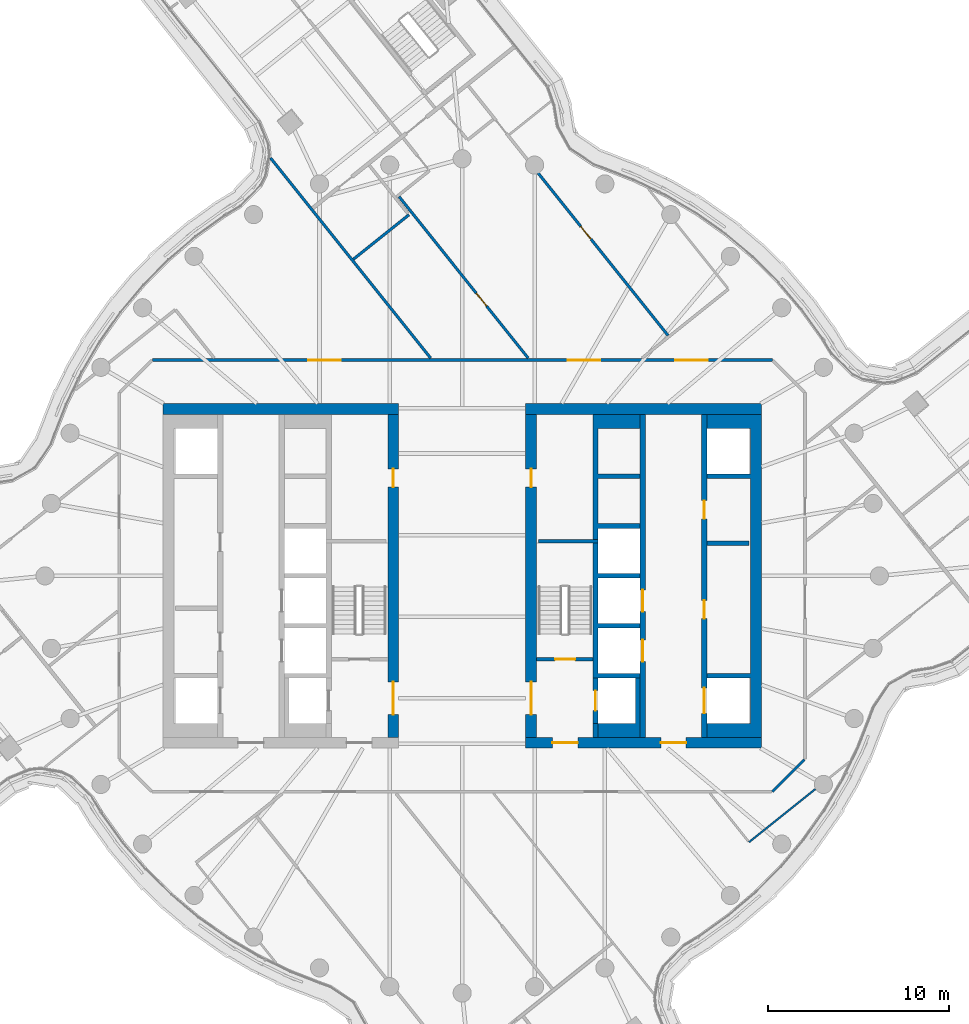
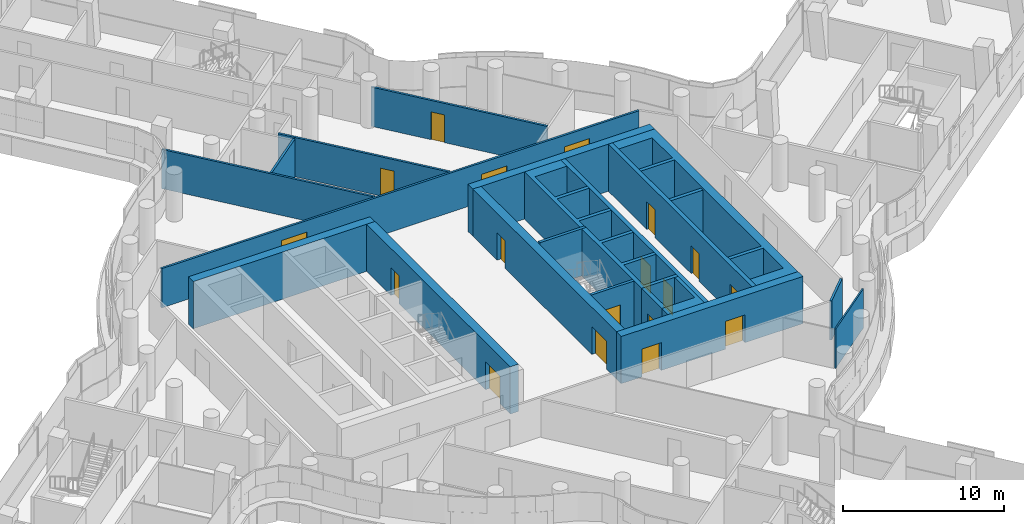
# One storey, part 21 of 31: 22 walls, 18 doors, 18 openings.
"""IFC4 building model written with IfcOpenShell, lengths in metres."""

from ifc_helpers import new_model, si_unit, direction, frame, frame_2d, origin, place, context, subcontext, project, spatial, polyline, rectangle, outline, extrude, material, layer, layer_set, type_object, element, fill, save


model = new_model("IFC4")

# Units and contexts
model_context = context("Model", 3, precision=1e-05, world=origin(), true_north=direction((0.0, 1.0)))
body_context = subcontext(model_context, "Body", "Model", "MODEL_VIEW")
ifc_project = project(units=[si_unit("LENGTHUNIT", "METRE"), si_unit("AREAUNIT", "SQUARE_METRE"), si_unit("VOLUMEUNIT", "CUBIC_METRE"), si_unit("PLANEANGLEUNIT", "RADIAN"), si_unit("MASSUNIT", "GRAM", prefix="KILO")], contexts=[model_context])

# Site, building, storey
site_placement = place(None, origin())
site = spatial("IfcSite", under=ifc_project, at=site_placement, CompositionType="ELEMENT")
building_placement = place(site_placement, origin())
building = spatial("IfcBuilding", under=site, at=building_placement, Name="Tamarind Cross Interchange Tower", CompositionType="ELEMENT")
storey_placement = place(building_placement, frame((0.0, 0.0, 174.25)))
storey = spatial("IfcBuildingStorey", under=building, at=storey_placement, Name="L43", CompositionType="ELEMENT", Elevation=174.25)

# Wall
ifc_material_1 = material(Name="Concrete C60", Category="concrete")
ifc_layer_1 = layer(ifc_material_1, 0.60009765625)
ifc_layer_set_1 = layer_set([ifc_layer_1], Name="Concrete C60")
wall_type_1 = type_object("IfcWallType", Name="Core wall 600 mm Concrete C60", PredefinedType="SHEAR", material=ifc_layer_set_1)
wall_1_placement = place(storey_placement, frame((-16.5, 9.199951171875, 0.0), z_axis=(0.0, 0.0, 1.0), x_axis=(1.0, 0.0, 0.0)))
element("IfcWall", 1, at=wall_1_placement, inside=storey, type_object=wall_type_1, Name="Core wall CWL-L43-W-NE", PredefinedType="SHEAR", context=body_context, shape_type="SweptSolid", body=[
    extrude(rectangle(XDim=13.0, YDim=0.60009765625, at=frame_2d((6.5, 0.0))), origin(), (0.0, 0.0, 1.0), 3.570068359375),
])

# Wall, openings, doors
wall_2_placement = place(storey_placement, frame((-3.800048828125, -8.89990234375, 0.0), z_axis=(0.0, 0.0, 1.0), x_axis=(0.0, 1.0, 0.0)))
wall_2 = element("IfcWall", 2, at=wall_2_placement, inside=storey, type_object=wall_type_1, Name="Core wall CWL-L43-W-IN", PredefinedType="SHEAR", context=body_context, shape_type="SweptSolid", body=[
    extrude(rectangle(XDim=17.7998046875, YDim=0.60009765625, at=frame_2d((8.89990234375, 0.0))), origin(), (0.0, 0.0, 1.0), 3.570068359375),
])
opening_1_placement = place(wall_2_placement, frame((1.25, 0.0, 0.0)))
opening_1 = element("IfcOpeningElement", 3, at=opening_1_placement, cuts=wall_2, Name="Opening DCW4", PredefinedType="OPENING", context=body_context, shape_type="SweptSolid", body=[
    extrude(rectangle(XDim=1.800048828125, YDim=2.10009765625, at=frame_2d((0.89990234375, 1.050048828125))), frame((0.0, 0.31005859375, 0.0), z_axis=(0.0, -1.0, 0.0), x_axis=(1.0, 0.0, 0.0)), (0.0, 0.0, 1.0), 0.6201171875),
])
opening_2_placement = place(wall_2_placement, frame((13.800048828125, 0.0, 0.0)))
opening_2 = element("IfcOpeningElement", 4, at=opening_2_placement, cuts=wall_2, Name="Opening DCW5", PredefinedType="OPENING", context=body_context, shape_type="SweptSolid", body=[
    extrude(rectangle(XDim=1.0, YDim=2.10009765625, at=frame_2d((0.5, 1.050048828125))), frame((0.0, 0.31005859375, 0.0), z_axis=(0.0, -1.0, 0.0), x_axis=(1.0, 0.0, 0.0)), (0.0, 0.0, 1.0), 0.6201171875),
])
ifc_material_2 = material(Name="Steel, fire-resisting", Category="steel")
door_type_1 = type_object("IfcDoorType", Name="Core fire door 1000 x 2100 FD90", OperationType="SINGLE_SWING_LEFT", PredefinedType="DOOR", material=ifc_material_2)
door_1_placement = place(opening_2_placement, origin())
door_1 = element("IfcDoor", 5, at=door_1_placement, inside=storey, type_object=door_type_1, Name="L43 riser room door", OperationType="SINGLE_SWING_LEFT", OverallHeight=2.10009765625, OverallWidth=1.0, PredefinedType="DOOR", context=body_context, shape_type="SweptSolid", body=[
    extrude(rectangle(XDim=1.0, YDim=2.10009765625, at=frame_2d((0.5, 1.050048828125))), frame((0.0, 0.02490234375, 0.0), z_axis=(0.0, -1.0, 0.0), x_axis=(1.0, 0.0, 0.0)), (0.0, 0.0, 1.0), 0.050048828125),
])
fill(opening_2, door_1)
door_type_2 = type_object("IfcDoorType", Name="Core fire door 1800 x 2100 FD90", OperationType="SINGLE_SWING_LEFT", PredefinedType="DOOR", material=ifc_material_2)
door_2_placement = place(opening_1_placement, origin())
door_2 = element("IfcDoor", 6, at=door_2_placement, inside=storey, type_object=door_type_2, Name="L43 firefighting lobby door", OperationType="SINGLE_SWING_LEFT", OverallHeight=2.10009765625, OverallWidth=1.800048828125, PredefinedType="DOOR", context=body_context, shape_type="SweptSolid", body=[
    extrude(rectangle(XDim=1.800048828125, YDim=2.10009765625, at=frame_2d((0.89990234375, 1.050048828125))), frame((0.0, 0.02490234375, 0.0), z_axis=(0.0, -1.0, 0.0), x_axis=(1.0, 0.0, 0.0)), (0.0, 0.0, 1.0), 0.050048828125),
])
fill(opening_1, door_2)

wall_3_placement = place(storey_placement, frame((16.5, -9.199951171875, 0.0), z_axis=(0.0, 0.0, 1.0), x_axis=(-1.0, 0.0, 0.0)))
wall_3 = element("IfcWall", 7, at=wall_3_placement, inside=storey, type_object=wall_type_1, Name="Core wall CWL-L43-E-S", PredefinedType="SHEAR", context=body_context, shape_type="SweptSolid", body=[
    extrude(rectangle(XDim=13.0, YDim=0.60009765625, at=frame_2d((6.5, 0.0))), origin(), (0.0, 0.0, 1.0), 3.570068359375),
])
opening_3_placement = place(wall_3_placement, frame((4.14990234375, 0.0, 0.0)))
opening_3 = element("IfcOpeningElement", 8, at=opening_3_placement, cuts=wall_3, Name="Opening DCE1", PredefinedType="OPENING", context=body_context, shape_type="SweptSolid", body=[
    extrude(rectangle(XDim=1.39990234375, YDim=2.10009765625, at=frame_2d((0.699951171875, 1.050048828125))), frame((0.0, 0.31005859375, 0.0), z_axis=(0.0, -1.0, 0.0), x_axis=(1.0, 0.0, 0.0)), (0.0, 0.0, 1.0), 0.6201171875),
])
opening_4_placement = place(wall_3_placement, frame((10.125, 0.0, 0.0)))
opening_4 = element("IfcOpeningElement", 9, at=opening_4_placement, cuts=wall_3, Name="Opening DCEF", PredefinedType="OPENING", context=body_context, shape_type="SweptSolid", body=[
    extrude(rectangle(XDim=1.39990234375, YDim=2.10009765625, at=frame_2d((0.699951171875, 1.050048828125))), frame((0.0, 0.31005859375, 0.0), z_axis=(0.0, -1.0, 0.0), x_axis=(1.0, 0.0, 0.0)), (0.0, 0.0, 1.0), 0.6201171875),
])
door_type_3 = type_object("IfcDoorType", Name="Core fire door 1400 x 2100 FD90", OperationType="SINGLE_SWING_LEFT", PredefinedType="DOOR", material=ifc_material_2)
door_3_placement = place(opening_3_placement, origin())
door_3 = element("IfcDoor", 10, at=door_3_placement, inside=storey, type_object=door_type_3, Name="L43 lift lobby door", OperationType="SINGLE_SWING_LEFT", OverallHeight=2.10009765625, OverallWidth=1.39990234375, PredefinedType="DOOR", context=body_context, shape_type="SweptSolid", body=[
    extrude(rectangle(XDim=1.39990234375, YDim=2.10009765625, at=frame_2d((0.699951171875, 1.050048828125))), frame((0.0, 0.02490234375, 0.0), z_axis=(0.0, -1.0, 0.0), x_axis=(1.0, 0.0, 0.0)), (0.0, 0.0, 1.0), 0.050048828125),
])
fill(opening_3, door_3)
door_4_placement = place(opening_4_placement, origin())
door_4 = element("IfcDoor", 11, at=door_4_placement, inside=storey, type_object=door_type_3, Name="L43 firefighting lobby end door", OperationType="SINGLE_SWING_LEFT", OverallHeight=2.10009765625, OverallWidth=1.39990234375, PredefinedType="DOOR", context=body_context, shape_type="SweptSolid", body=[
    extrude(rectangle(XDim=1.39990234375, YDim=2.10009765625, at=frame_2d((0.699951171875, 1.050048828125))), frame((0.0, 0.02490234375, 0.0), z_axis=(0.0, -1.0, 0.0), x_axis=(1.0, 0.0, 0.0)), (0.0, 0.0, 1.0), 0.050048828125),
])
fill(opening_4, door_4)

# Walls
wall_4_placement = place(storey_placement, origin())
element("IfcWall", 12, at=wall_4_placement, inside=storey, type_object=wall_type_1, Name="Core wall CWL-L43-E-A", PredefinedType="SHEAR", context=body_context, shape_type="SweptSolid", body=[
    extrude(outline(polyline([(13.5, -8.125), (13.5, -8.89990234375), (15.89990234375, -8.89990234375), (16.5, -8.89990234375), (16.5, 8.89990234375), (15.89990234375, 8.89990234375), (13.5, 8.89990234375), (13.5, 8.125), (15.89990234375, 8.125), (15.89990234375, 5.625), (13.5, 5.625), (13.5, 5.375), (15.89990234375, 5.375), (15.89990234375, -5.375), (13.5, -5.375), (13.5, -5.625), (15.89990234375, -5.625), (15.89990234375, -8.125), (13.5, -8.125)])), origin(), (0.0, 0.0, 1.0), 3.570068359375),
])
wall_5_placement = place(storey_placement, frame((16.5, 9.199951171875, 0.0), z_axis=(0.0, 0.0, 1.0), x_axis=(-1.0, 0.0, 0.0)))
element("IfcWall", 13, at=wall_5_placement, inside=storey, type_object=wall_type_1, Name="Core wall CWL-L43-E-NE", PredefinedType="SHEAR", context=body_context, shape_type="SweptSolid", body=[
    extrude(rectangle(XDim=13.0, YDim=0.60009765625, at=frame_2d((6.5, 0.0))), origin(), (0.0, 0.0, 1.0), 3.570068359375),
])

# Wall, openings, doors
wall_6_placement = place(storey_placement, frame((3.800048828125, -8.89990234375, 0.0), z_axis=(0.0, 0.0, 1.0), x_axis=(0.0, 1.0, 0.0)))
wall_6 = element("IfcWall", 14, at=wall_6_placement, inside=storey, type_object=wall_type_1, Name="Core wall CWL-L43-E-IN", PredefinedType="SHEAR", context=body_context, shape_type="SweptSolid", body=[
    extrude(rectangle(XDim=17.7998046875, YDim=0.60009765625, at=frame_2d((8.89990234375, 0.0))), origin(), (0.0, 0.0, 1.0), 3.570068359375),
])
opening_5_placement = place(wall_6_placement, frame((1.25, 0.0, 0.0)))
opening_5 = element("IfcOpeningElement", 15, at=opening_5_placement, cuts=wall_6, Name="Opening DCE4", PredefinedType="OPENING", context=body_context, shape_type="SweptSolid", body=[
    extrude(rectangle(XDim=1.800048828125, YDim=2.10009765625, at=frame_2d((0.89990234375, 1.050048828125))), frame((0.0, 0.31005859375, 0.0), z_axis=(0.0, -1.0, 0.0), x_axis=(1.0, 0.0, 0.0)), (0.0, 0.0, 1.0), 0.6201171875),
])
opening_6_placement = place(wall_6_placement, frame((13.800048828125, 0.0, 0.0)))
opening_6 = element("IfcOpeningElement", 16, at=opening_6_placement, cuts=wall_6, Name="Opening DCE5", PredefinedType="OPENING", context=body_context, shape_type="SweptSolid", body=[
    extrude(rectangle(XDim=1.0, YDim=2.10009765625, at=frame_2d((0.5, 1.050048828125))), frame((0.0, 0.31005859375, 0.0), z_axis=(0.0, -1.0, 0.0), x_axis=(1.0, 0.0, 0.0)), (0.0, 0.0, 1.0), 0.6201171875),
])
door_5_placement = place(opening_6_placement, origin())
door_5 = element("IfcDoor", 17, at=door_5_placement, inside=storey, type_object=door_type_1, Name="L43 riser room door", OperationType="SINGLE_SWING_LEFT", OverallHeight=2.10009765625, OverallWidth=1.0, PredefinedType="DOOR", context=body_context, shape_type="SweptSolid", body=[
    extrude(rectangle(XDim=1.0, YDim=2.10009765625, at=frame_2d((0.5, 1.050048828125))), frame((0.0, 0.02490234375, 0.0), z_axis=(0.0, -1.0, 0.0), x_axis=(1.0, 0.0, 0.0)), (0.0, 0.0, 1.0), 0.050048828125),
])
fill(opening_6, door_5)
door_6_placement = place(opening_5_placement, origin())
door_6 = element("IfcDoor", 18, at=door_6_placement, inside=storey, type_object=door_type_2, Name="L43 firefighting lobby door", OperationType="SINGLE_SWING_LEFT", OverallHeight=2.10009765625, OverallWidth=1.800048828125, PredefinedType="DOOR", context=body_context, shape_type="SweptSolid", body=[
    extrude(rectangle(XDim=1.800048828125, YDim=2.10009765625, at=frame_2d((0.89990234375, 1.050048828125))), frame((0.0, 0.02490234375, 0.0), z_axis=(0.0, -1.0, 0.0), x_axis=(1.0, 0.0, 0.0)), (0.0, 0.0, 1.0), 0.050048828125),
])
fill(opening_5, door_6)

# Walls
ifc_layer_2 = layer(ifc_material_1, 0.199951171875)
ifc_layer_set_2 = layer_set([ifc_layer_2], Name="Concrete C60")
wall_type_2 = type_object("IfcWallType", Name="Core web wall 200 mm Concrete C60", PredefinedType="SHEAR", material=ifc_layer_set_2)
wall_7_placement = place(storey_placement, frame((7.5, 1.89990234375, 0.0), z_axis=(0.0, 0.0, 1.0), x_axis=(-1.0, 0.0, 0.0)))
element("IfcWall", 19, at=wall_7_placement, inside=storey, type_object=wall_type_2, Name="Core wall CWL-L43-E-BD", PredefinedType="SHEAR", context=body_context, shape_type="SweptSolid", body=[
    extrude(rectangle(XDim=3.300048828125, YDim=0.199951171875, at=frame_2d((1.64990234375, 0.0))), origin(), (0.0, 0.0, 1.0), 3.570068359375),
])
ifc_layer_3 = layer(ifc_material_1, 0.300048828125)
ifc_layer_set_3 = layer_set([ifc_layer_3], Name="Concrete C60")
wall_type_3 = type_object("IfcWallType", Name="Core web wall 300 mm Concrete C60", PredefinedType="SHEAR", material=ifc_layer_set_3)
wall_8_placement = place(storey_placement, origin())
element("IfcWall", 20, at=wall_8_placement, inside=storey, type_object=wall_type_3, Name="Core wall CWL-L43-E-BN", PredefinedType="SHEAR", context=body_context, shape_type="SweptSolid", body=[
    extrude(outline(polyline([(9.800048828125, -5.375), (7.5, -5.375), (7.5, -2.875), (9.800048828125, -2.875), (9.800048828125, -2.625), (7.5, -2.625), (7.5, -0.125), (9.800048828125, -0.125), (9.800048828125, 0.125), (7.5, 0.125), (7.5, 2.625), (9.800048828125, 2.625), (9.800048828125, 2.875), (7.5, 2.875), (7.5, 5.375), (9.800048828125, 5.375), (9.800048828125, 5.625), (7.5, 5.625), (7.5, 8.125), (9.800048828125, 8.125), (9.800048828125, 8.89990234375), (7.5, 8.89990234375), (7.199951171875, 8.89990234375), (7.199951171875, -5.625), (7.5, -5.625), (9.800048828125, -5.625), (9.800048828125, -5.375)])), origin(), (0.0, 0.0, 1.0), 3.570068359375),
])
wall_9_placement = place(storey_placement, origin())
element("IfcWall", 21, at=wall_9_placement, inside=storey, type_object=wall_type_3, Name="Core wall CWL-L43-E-BS", PredefinedType="SHEAR", context=body_context, shape_type="SweptSolid", body=[
    extrude(outline(polyline([(7.5, -8.125), (7.5, -8.89990234375), (9.800048828125, -8.89990234375), (9.800048828125, -8.125), (9.800048828125, -5.625), (9.550048828125, -5.625), (9.550048828125, -8.125), (7.5, -8.125)])), origin(), (0.0, 0.0, 1.0), 3.570068359375),
])
wall_10_placement = place(storey_placement, frame((7.35009765625, -8.89990234375, 0.0), z_axis=(0.0, 0.0, 1.0), x_axis=(0.0, 1.0, 0.0)))
element("IfcWall", 22, at=wall_10_placement, inside=storey, type_object=wall_type_3, Name="Core wall CWL-L43-E-BW", PredefinedType="SHEAR", context=body_context, shape_type="SweptSolid", body=[
    extrude(rectangle(XDim=0.77490234375, YDim=0.300048828125, at=frame_2d((0.387451171875, 0.0))), origin(), (0.0, 0.0, 1.0), 3.570068359375),
])

# Wall, openings, doors
wall_11_placement = place(storey_placement, frame((13.35009765625, -8.89990234375, 0.0), z_axis=(0.0, 0.0, 1.0), x_axis=(0.0, 1.0, 0.0)))
wall_11 = element("IfcWall", 23, at=wall_11_placement, inside=storey, type_object=wall_type_3, Name="Core wall CWL-L43-E-LA", PredefinedType="SHEAR", context=body_context, shape_type="SweptSolid", body=[
    extrude(rectangle(XDim=17.7998046875, YDim=0.300048828125, at=frame_2d((8.89990234375, 0.0))), origin(), (0.0, 0.0, 1.0), 3.570068359375),
])
opening_7_placement = place(wall_11_placement, frame((1.324951171875, 0.0, 0.0)))
opening_7 = element("IfcOpeningElement", 24, at=opening_7_placement, cuts=wall_11, Name="Opening LD13L43", PredefinedType="OPENING", context=body_context, shape_type="SweptSolid", body=[
    extrude(rectangle(XDim=1.39990234375, YDim=2.10009765625, at=frame_2d((0.699951171875, 1.050048828125))), frame((0.0, 0.159912109375, 0.0), z_axis=(0.0, -1.0, 0.0), x_axis=(1.0, 0.0, 0.0)), (0.0, 0.0, 1.0), 0.320068359375),
])
opening_8_placement = place(wall_11_placement, frame((6.5458984375, 0.0, 0.0)))
opening_8 = element("IfcOpeningElement", 25, at=opening_8_placement, cuts=wall_11, Name="Opening DCE9", PredefinedType="OPENING", context=body_context, shape_type="SweptSolid", body=[
    extrude(rectangle(XDim=1.0, YDim=2.10009765625, at=frame_2d((0.5, 1.050048828125))), frame((0.0, 0.159912109375, 0.0), z_axis=(0.0, -1.0, 0.0), x_axis=(1.0, 0.0, 0.0)), (0.0, 0.0, 1.0), 0.320068359375),
])
opening_9_placement = place(wall_11_placement, frame((12.0458984375, 0.0, 0.0)))
opening_9 = element("IfcOpeningElement", 26, at=opening_9_placement, cuts=wall_11, Name="Opening DCE10", PredefinedType="OPENING", context=body_context, shape_type="SweptSolid", body=[
    extrude(rectangle(XDim=1.0, YDim=2.10009765625, at=frame_2d((0.5, 1.050048828125))), frame((0.0, 0.159912109375, 0.0), z_axis=(0.0, -1.0, 0.0), x_axis=(1.0, 0.0, 0.0)), (0.0, 0.0, 1.0), 0.320068359375),
])
door_7_placement = place(opening_8_placement, origin())
door_7 = element("IfcDoor", 27, at=door_7_placement, inside=storey, type_object=door_type_1, Name="L43 Print room door", OperationType="SINGLE_SWING_LEFT", OverallHeight=2.10009765625, OverallWidth=1.0, PredefinedType="DOOR", context=body_context, shape_type="SweptSolid", body=[
    extrude(rectangle(XDim=1.0, YDim=2.10009765625, at=frame_2d((0.5, 1.050048828125))), frame((0.0, 0.02490234375, 0.0), z_axis=(0.0, -1.0, 0.0), x_axis=(1.0, 0.0, 0.0)), (0.0, 0.0, 1.0), 0.050048828125),
])
fill(opening_8, door_7)
door_8_placement = place(opening_9_placement, origin())
door_8 = element("IfcDoor", 28, at=door_8_placement, inside=storey, type_object=door_type_1, Name="L43 IT room door", OperationType="SINGLE_SWING_LEFT", OverallHeight=2.10009765625, OverallWidth=1.0, PredefinedType="DOOR", context=body_context, shape_type="SweptSolid", body=[
    extrude(rectangle(XDim=1.0, YDim=2.10009765625, at=frame_2d((0.5, 1.050048828125))), frame((0.0, 0.02490234375, 0.0), z_axis=(0.0, -1.0, 0.0), x_axis=(1.0, 0.0, 0.0)), (0.0, 0.0, 1.0), 0.050048828125),
])
fill(opening_9, door_8)
ifc_material_3 = material(Name="Stainless steel panel", Category="steel")
door_type_4 = type_object("IfcDoorType", Name="Lift landing door 1400 x 2100 E 120", OperationType="SLIDING_TO_LEFT", PredefinedType="DOOR", material=ifc_material_3)
door_9_placement = place(opening_7_placement, origin())
door_9 = element("IfcDoor", 29, at=door_9_placement, inside=storey, type_object=door_type_4, Name="L43 landing door LF13", OperationType="SLIDING_TO_LEFT", OverallHeight=2.10009765625, OverallWidth=1.39990234375, PredefinedType="DOOR", context=body_context, shape_type="SweptSolid", body=[
    extrude(rectangle(XDim=1.39990234375, YDim=2.10009765625, at=frame_2d((0.699951171875, 1.050048828125))), frame((0.0, 0.02490234375, 0.0), z_axis=(0.0, -1.0, 0.0), x_axis=(1.0, 0.0, 0.0)), (0.0, 0.0, 1.0), 0.050048828125),
])
fill(opening_7, door_9)

wall_12_placement = place(storey_placement, frame((9.949951171875, -8.89990234375, 0.0), z_axis=(0.0, 0.0, 1.0), x_axis=(0.0, 1.0, 0.0)))
wall_12 = element("IfcWall", 30, at=wall_12_placement, inside=storey, type_object=wall_type_3, Name="Core wall CWL-L43-E-LB", PredefinedType="SHEAR", context=body_context, shape_type="SweptSolid", body=[
    extrude(rectangle(XDim=17.7998046875, YDim=0.300048828125, at=frame_2d((8.89990234375, 0.0))), origin(), (0.0, 0.0, 1.0), 3.570068359375),
])
opening_10_placement = place(wall_12_placement, frame((4.175048828125, 0.0, 0.0)))
opening_10 = element("IfcOpeningElement", 31, at=opening_10_placement, cuts=wall_12, Name="Opening LD20L43", PredefinedType="OPENING", context=body_context, shape_type="SweptSolid", body=[
    extrude(rectangle(XDim=1.199951171875, YDim=2.10009765625, at=frame_2d((0.60009765625, 1.050048828125))), frame((0.0, 0.159912109375, 0.0), z_axis=(0.0, -1.0, 0.0), x_axis=(1.0, 0.0, 0.0)), (0.0, 0.0, 1.0), 0.320068359375),
])
opening_11_placement = place(wall_12_placement, frame((6.925048828125, 0.0, 0.0)))
opening_11 = element("IfcOpeningElement", 32, at=opening_11_placement, cuts=wall_12, Name="Opening LD21L43", PredefinedType="OPENING", context=body_context, shape_type="SweptSolid", body=[
    extrude(rectangle(XDim=1.199951171875, YDim=2.10009765625, at=frame_2d((0.60009765625, 1.050048828125))), frame((0.0, 0.159912109375, 0.0), z_axis=(0.0, -1.0, 0.0), x_axis=(1.0, 0.0, 0.0)), (0.0, 0.0, 1.0), 0.320068359375),
])
door_type_5 = type_object("IfcDoorType", Name="Lift landing door 1200 x 2100 E 120", OperationType="SLIDING_TO_LEFT", PredefinedType="DOOR", material=ifc_material_3)
door_10_placement = place(opening_10_placement, origin())
door_10 = element("IfcDoor", 33, at=door_10_placement, inside=storey, type_object=door_type_5, Name="L43 landing door LF20", OperationType="SLIDING_TO_LEFT", OverallHeight=2.10009765625, OverallWidth=1.199951171875, PredefinedType="DOOR", context=body_context, shape_type="SweptSolid", body=[
    extrude(rectangle(XDim=1.199951171875, YDim=2.10009765625, at=frame_2d((0.60009765625, 1.050048828125))), frame((0.0, 0.02490234375, 0.0), z_axis=(0.0, -1.0, 0.0), x_axis=(1.0, 0.0, 0.0)), (0.0, 0.0, 1.0), 0.050048828125),
])
fill(opening_10, door_10)
door_11_placement = place(opening_11_placement, origin())
door_11 = element("IfcDoor", 34, at=door_11_placement, inside=storey, type_object=door_type_5, Name="L43 landing door LF21", OperationType="SLIDING_TO_LEFT", OverallHeight=2.10009765625, OverallWidth=1.199951171875, PredefinedType="DOOR", context=body_context, shape_type="SweptSolid", body=[
    extrude(rectangle(XDim=1.199951171875, YDim=2.10009765625, at=frame_2d((0.60009765625, 1.050048828125))), frame((0.0, 0.02490234375, 0.0), z_axis=(0.0, -1.0, 0.0), x_axis=(1.0, 0.0, 0.0)), (0.0, 0.0, 1.0), 0.050048828125),
])
fill(opening_11, door_11)

# Wall, opening, door
wall_13_placement = place(storey_placement, frame((7.35009765625, -8.125, 0.0), z_axis=(0.0, 0.0, 1.0), x_axis=(0.0, 1.0, 0.0)))
wall_13 = element("IfcWall", 35, at=wall_13_placement, inside=storey, type_object=wall_type_3, Name="Core wall CWL-L43-E-FF", PredefinedType="SHEAR", context=body_context, shape_type="SweptSolid", body=[
    extrude(rectangle(XDim=2.5, YDim=0.300048828125, at=frame_2d((1.25, 0.0))), origin(), (0.0, 0.0, 1.0), 3.570068359375),
])
opening_12_placement = place(wall_13_placement, frame((0.699951171875, 0.0, 0.0)))
opening_12 = element("IfcOpeningElement", 36, at=opening_12_placement, cuts=wall_13, Name="Opening LD19L43", PredefinedType="OPENING", context=body_context, shape_type="SweptSolid", body=[
    extrude(rectangle(XDim=1.10009765625, YDim=2.10009765625, at=frame_2d((0.550048828125, 1.050048828125))), frame((0.0, 0.159912109375, 0.0), z_axis=(0.0, -1.0, 0.0), x_axis=(1.0, 0.0, 0.0)), (0.0, 0.0, 1.0), 0.320068359375),
])
door_type_6 = type_object("IfcDoorType", Name="Lift landing door 1100 x 2100 E 120", OperationType="SLIDING_TO_LEFT", PredefinedType="DOOR", material=ifc_material_3)
door_12_placement = place(opening_12_placement, origin())
door_12 = element("IfcDoor", 37, at=door_12_placement, inside=storey, type_object=door_type_6, Name="L43 landing door LF19", OperationType="SLIDING_TO_LEFT", OverallHeight=2.10009765625, OverallWidth=1.10009765625, PredefinedType="DOOR", context=body_context, shape_type="SweptSolid", body=[
    extrude(rectangle(XDim=1.10009765625, YDim=2.10009765625, at=frame_2d((0.550048828125, 1.050048828125))), frame((0.0, 0.02490234375, 0.0), z_axis=(0.0, -1.0, 0.0), x_axis=(1.0, 0.0, 0.0)), (0.0, 0.0, 1.0), 0.050048828125),
])
fill(opening_12, door_12)

# Walls
ifc_material_4 = material(Name="Gypsum board partition on steel studs", Category="steel")
ifc_layer_4 = layer(ifc_material_4, 0.10009765625)
ifc_layer_set_4 = layer_set([ifc_layer_4], Name="Gypsum board partition on steel studs")
wall_type_4 = type_object("IfcWallType", Name="Partition 100 mm EI 90", PredefinedType="PARTITIONING", material=ifc_layer_set_4)
wall_14_placement = place(storey_placement, frame((15.81494140625, -14.679931640625, 0.0), z_axis=(0.0, 0.0, 1.0), x_axis=(0.780939933327, 0.624606132323, 0.0)))
element("IfcWall", 38, at=wall_14_placement, inside=storey, type_object=wall_type_4, Name="Partition L43-064", PredefinedType="PARTITIONING", context=body_context, shape_type="SweptSolid", body=[
    extrude(rectangle(XDim=4.688232421875, YDim=0.10009765625, at=frame_2d((2.34423828125, 0.0))), origin(), (0.0, 0.0, 1.0), 2.969970703125),
])
ifc_layer_5 = layer(ifc_material_4, 0.14990234375)
ifc_layer_set_5 = layer_set([ifc_layer_5], Name="Gypsum board partition on steel studs")
wall_type_5 = type_object("IfcWallType", Name="Partition 150 mm EI 120", PredefinedType="PARTITIONING", material=ifc_layer_set_5)
wall_15_placement = place(storey_placement, frame((-10.565185546875, 23.040771484375, 0.0), z_axis=(0.0, 0.0, 1.0), x_axis=(0.624676086113, -0.780883978218, 0.0)))
element("IfcWall", 39, at=wall_15_placement, inside=storey, type_object=wall_type_5, Name="Partition L43-018", PredefinedType="PARTITIONING", context=body_context, shape_type="SweptSolid", body=[
    extrude(rectangle(XDim=14.1318359375, YDim=0.14990234375, at=frame_2d((7.06591796875, 0.0))), origin(), (0.0, 0.0, 1.0), 2.969970703125),
])

# Wall, opening, door
wall_16_placement = place(storey_placement, frame((-3.47900390625, 20.906494140625, 0.0), z_axis=(0.0, 0.0, 1.0), x_axis=(0.624627130609, -0.780923138155, 0.0)))
wall_16 = element("IfcWall", 40, at=wall_16_placement, inside=storey, type_object=wall_type_5, Name="Partition L43-021", PredefinedType="PARTITIONING", context=body_context, shape_type="SweptSolid", body=[
    extrude(rectangle(XDim=11.398193359375, YDim=0.14990234375, at=frame_2d((5.69921875, 0.0))), origin(), (0.0, 0.0, 1.0), 2.969970703125),
])
opening_13_placement = place(wall_16_placement, frame((6.820068359375, 0.0, 0.0)))
opening_13 = element("IfcOpeningElement", 41, at=opening_13_placement, cuts=wall_16, Name="Opening D10", PredefinedType="OPENING", context=body_context, shape_type="SweptSolid", body=[
    extrude(rectangle(XDim=0.89990234375, YDim=2.10009765625, at=frame_2d((0.449951171875, 1.050048828125))), frame((0.0, 0.0849609375, 0.0), z_axis=(0.0, -1.0, 0.0), x_axis=(1.0, 0.0, 0.0)), (0.0, 0.0, 1.0), 0.169921875),
])
ifc_material_5 = material(Name="Fire-resisting door set")
door_type_7 = type_object("IfcDoorType", Name="Interior door 900 x 2100 FD60S", OperationType="SINGLE_SWING_LEFT", PredefinedType="DOOR", material=ifc_material_5)
door_13_placement = place(opening_13_placement, frame((0.89990234375, 0.0, 0.0), z_axis=(0.0, 0.0, 1.0), x_axis=(-1.0, 0.0, 0.0)))
door_13 = element("IfcDoor", 42, at=door_13_placement, inside=storey, type_object=door_type_7, Name="Door D10", OperationType="SINGLE_SWING_RIGHT", OverallHeight=2.10009765625, OverallWidth=0.89990234375, PredefinedType="DOOR", context=body_context, shape_type="SweptSolid", body=[
    extrude(rectangle(XDim=0.89990234375, YDim=2.10009765625, at=frame_2d((0.449951171875, 1.050048828125))), frame((0.0, 0.02490234375, 0.0), z_axis=(0.0, -1.0, 0.0), x_axis=(1.0, 0.0, 0.0)), (0.0, 0.0, 1.0), 0.050048828125),
])
fill(opening_13, door_13)

wall_17_placement = place(storey_placement, frame((4.03662109375, 22.39599609375, 0.0), z_axis=(0.0, 0.0, 1.0), x_axis=(0.624628926241, -0.780921701903, 0.0)))
wall_17 = element("IfcWall", 43, at=wall_17_placement, inside=storey, type_object=wall_type_5, Name="Partition L43-024", PredefinedType="PARTITIONING", context=body_context, shape_type="SweptSolid", body=[
    extrude(rectangle(XDim=11.707763671875, YDim=0.14990234375, at=frame_2d((5.85400390625, 0.0))), origin(), (0.0, 0.0, 1.0), 2.969970703125),
])
opening_14_placement = place(wall_17_placement, frame((4.007080078125, 0.0, 0.0)))
opening_14 = element("IfcOpeningElement", 44, at=opening_14_placement, cuts=wall_17, Name="Opening D13", PredefinedType="OPENING", context=body_context, shape_type="SweptSolid", body=[
    extrude(rectangle(XDim=0.89990234375, YDim=2.10009765625, at=frame_2d((0.449951171875, 1.050048828125))), frame((0.0, 0.0849609375, 0.0), z_axis=(0.0, -1.0, 0.0), x_axis=(1.0, 0.0, 0.0)), (0.0, 0.0, 1.0), 0.169921875),
])
door_14_placement = place(opening_14_placement, origin())
door_14 = element("IfcDoor", 45, at=door_14_placement, inside=storey, type_object=door_type_7, Name="Door D13", OperationType="SINGLE_SWING_RIGHT", OverallHeight=2.10009765625, OverallWidth=0.89990234375, PredefinedType="DOOR", context=body_context, shape_type="SweptSolid", body=[
    extrude(rectangle(XDim=0.89990234375, YDim=2.10009765625, at=frame_2d((0.449951171875, 1.050048828125))), frame((0.0, 0.02490234375, 0.0), z_axis=(0.0, -1.0, 0.0), x_axis=(1.0, 0.0, 0.0)), (0.0, 0.0, 1.0), 0.050048828125),
])
fill(opening_14, door_14)

# Wall, openings, doors
wall_18_placement = place(storey_placement, frame((-17.06494140625, 11.89990234375, 0.0), z_axis=(0.0, 0.0, 1.0), x_axis=(1.0, 0.0, 0.0)))
wall_18 = element("IfcWall", 46, at=wall_18_placement, inside=storey, type_object=wall_type_5, Name="Partition L43-039", PredefinedType="PARTITIONING", context=body_context, shape_type="SweptSolid", body=[
    extrude(rectangle(XDim=34.1650390625, YDim=0.14990234375, at=frame_2d((17.08251953125, 0.0))), origin(), (0.0, 0.0, 1.0), 2.969970703125),
])
opening_15_placement = place(wall_18_placement, frame((22.889892578125, 0.0, 0.0)))
opening_15 = element("IfcOpeningElement", 47, at=opening_15_placement, cuts=wall_18, Name="Opening D22", PredefinedType="OPENING", context=body_context, shape_type="SweptSolid", body=[
    extrude(rectangle(XDim=1.800048828125, YDim=2.10009765625, at=frame_2d((0.89990234375, 1.050048828125))), frame((0.0, 0.0849609375, 0.0), z_axis=(0.0, -1.0, 0.0), x_axis=(1.0, 0.0, 0.0)), (0.0, 0.0, 1.0), 0.169921875),
])
opening_16_placement = place(wall_18_placement, frame((28.801025390625, 0.0, 0.0)))
opening_16 = element("IfcOpeningElement", 48, at=opening_16_placement, cuts=wall_18, Name="Opening D23", PredefinedType="OPENING", context=body_context, shape_type="SweptSolid", body=[
    extrude(rectangle(XDim=1.800048828125, YDim=2.10009765625, at=frame_2d((0.89990234375, 1.050048828125))), frame((0.0, 0.0849609375, 0.0), z_axis=(0.0, -1.0, 0.0), x_axis=(1.0, 0.0, 0.0)), (0.0, 0.0, 1.0), 0.169921875),
])
opening_17_placement = place(wall_18_placement, frame((8.573974609375, 0.0, 0.0)))
opening_17 = element("IfcOpeningElement", 49, at=opening_17_placement, cuts=wall_18, Name="Opening D24", PredefinedType="OPENING", context=body_context, shape_type="SweptSolid", body=[
    extrude(rectangle(XDim=1.800048828125, YDim=2.10009765625, at=frame_2d((0.89990234375, 1.050048828125))), frame((0.0, 0.0849609375, 0.0), z_axis=(0.0, -1.0, 0.0), x_axis=(1.0, 0.0, 0.0)), (0.0, 0.0, 1.0), 0.169921875),
])
door_type_8 = type_object("IfcDoorType", Name="Interior door 1800 x 2100 FD60S", OperationType="DOUBLE_DOOR_SINGLE_SWING", PredefinedType="DOOR", material=ifc_material_5)
door_15_placement = place(opening_15_placement, frame((1.800048828125, 0.0, 0.0), z_axis=(0.0, 0.0, 1.0), x_axis=(-1.0, 0.0, 0.0)))
door_15 = element("IfcDoor", 50, at=door_15_placement, inside=storey, type_object=door_type_8, Name="Door D22", OperationType="DOUBLE_DOOR_SINGLE_SWING", OverallHeight=2.10009765625, OverallWidth=1.800048828125, PredefinedType="DOOR", context=body_context, shape_type="SweptSolid", body=[
    extrude(rectangle(XDim=1.800048828125, YDim=2.10009765625, at=frame_2d((0.89990234375, 1.050048828125))), frame((0.0, 0.02490234375, 0.0), z_axis=(0.0, -1.0, 0.0), x_axis=(1.0, 0.0, 0.0)), (0.0, 0.0, 1.0), 0.050048828125),
])
fill(opening_15, door_15)
door_16_placement = place(opening_16_placement, origin())
door_16 = element("IfcDoor", 51, at=door_16_placement, inside=storey, type_object=door_type_8, Name="Door D23", OperationType="DOUBLE_DOOR_SINGLE_SWING", OverallHeight=2.10009765625, OverallWidth=1.800048828125, PredefinedType="DOOR", context=body_context, shape_type="SweptSolid", body=[
    extrude(rectangle(XDim=1.800048828125, YDim=2.10009765625, at=frame_2d((0.89990234375, 1.050048828125))), frame((0.0, 0.02490234375, 0.0), z_axis=(0.0, -1.0, 0.0), x_axis=(1.0, 0.0, 0.0)), (0.0, 0.0, 1.0), 0.050048828125),
])
fill(opening_16, door_16)
door_17_placement = place(opening_17_placement, origin())
door_17 = element("IfcDoor", 52, at=door_17_placement, inside=storey, type_object=door_type_8, Name="Door D24", OperationType="DOUBLE_DOOR_SINGLE_SWING", OverallHeight=2.10009765625, OverallWidth=1.800048828125, PredefinedType="DOOR", context=body_context, shape_type="SweptSolid", body=[
    extrude(rectangle(XDim=1.800048828125, YDim=2.10009765625, at=frame_2d((0.89990234375, 1.050048828125))), frame((0.0, 0.02490234375, 0.0), z_axis=(0.0, -1.0, 0.0), x_axis=(1.0, 0.0, 0.0)), (0.0, 0.0, 1.0), 0.050048828125),
])
fill(opening_17, door_17)

# Walls
wall_19_placement = place(storey_placement, frame((-5.99755859375, 17.458984375, 0.0), z_axis=(0.0, 0.0, 1.0), x_axis=(0.781020694531, 0.624505143865, 0.0)))
element("IfcWall", 53, at=wall_19_placement, inside=storey, type_object=wall_type_5, Name="Partition L43-056", PredefinedType="PARTITIONING", context=body_context, shape_type="SweptSolid", body=[
    extrude(rectangle(XDim=3.919921875, YDim=0.14990234375, at=frame_2d((1.9599609375, 0.0))), origin(), (0.0, 0.0, 1.0), 2.969970703125),
])
wall_20_placement = place(storey_placement, frame((17.10009765625, -11.89990234375, 0.0), z_axis=(0.0, 0.0, 1.0), x_axis=(0.707106781187, 0.707106781187, 0.0)))
element("IfcWall", 54, at=wall_20_placement, inside=storey, type_object=wall_type_5, Name="Partition L43-074", PredefinedType="PARTITIONING", context=body_context, shape_type="SweptSolid", body=[
    extrude(rectangle(XDim=2.50537109375, YDim=0.14990234375, at=frame_2d((1.252685546875, 0.0))), origin(), (0.0, 0.0, 1.0), 2.969970703125),
])
ifc_material_6 = material(Name="Concrete C40", Category="concrete")
ifc_layer_6 = layer(ifc_material_6, 0.25)
ifc_layer_set_6 = layer_set([ifc_layer_6], Name="Concrete C40")
wall_type_6 = type_object("IfcWallType", Name="Shaft and lobby wall 250 mm Concrete C40", PredefinedType="PARTITIONING", material=ifc_layer_set_6)
wall_21_placement = place(storey_placement, frame((15.800048828125, 1.7919921875, 0.0), z_axis=(0.0, 0.0, 1.0), x_axis=(-1.0, 0.0, 0.0)))
element("IfcWall", 55, at=wall_21_placement, inside=storey, type_object=wall_type_6, Name="Shaft wall CWL-L43-E-FPA1", PredefinedType="PARTITIONING", context=body_context, shape_type="SweptSolid", body=[
    extrude(rectangle(XDim=2.300048828125, YDim=0.25, at=frame_2d((1.14990234375, 0.0))), origin(), (0.0, 0.0, 1.0), 3.570068359375),
])

# Wall, opening, door
ifc_layer_7 = layer(ifc_material_6, 0.199951171875)
ifc_layer_set_7 = layer_set([ifc_layer_7], Name="Concrete C40")
wall_type_7 = type_object("IfcWallType", Name="Stair shaft wall 200 mm Concrete C40", PredefinedType="SHEAR", material=ifc_layer_set_7)
wall_22_placement = place(storey_placement, frame((7.199951171875, -4.60009765625, 0.0), z_axis=(0.0, 0.0, 1.0), x_axis=(-1.0, 0.0, 0.0)))
wall_22 = element("IfcWall", 56, at=wall_22_placement, inside=storey, type_object=wall_type_7, Name="Core wall CWL-L43-E-SD", PredefinedType="SHEAR", context=body_context, shape_type="SweptSolid", body=[
    extrude(rectangle(XDim=3.099853515625, YDim=0.199951171875, at=frame_2d((1.5498046875, 0.0))), origin(), (0.0, 0.0, 1.0), 3.570068359375),
])
opening_18_placement = place(wall_22_placement, frame((0.97509765625, 0.0, 0.0)))
opening_18 = element("IfcOpeningElement", 57, at=opening_18_placement, cuts=wall_22, Name="Opening DCE6", PredefinedType="OPENING", context=body_context, shape_type="SweptSolid", body=[
    extrude(rectangle(XDim=1.10009765625, YDim=2.10009765625, at=frame_2d((0.550048828125, 1.050048828125))), frame((0.0, 0.10986328125, 0.0), z_axis=(0.0, -1.0, 0.0), x_axis=(1.0, 0.0, 0.0)), (0.0, 0.0, 1.0), 0.219970703125),
])
door_type_9 = type_object("IfcDoorType", Name="Core fire door 1100 x 2100 FD90", OperationType="SINGLE_SWING_LEFT", PredefinedType="DOOR", material=ifc_material_2)
door_18_placement = place(opening_18_placement, origin())
door_18 = element("IfcDoor", 58, at=door_18_placement, inside=storey, type_object=door_type_9, Name="L43 stair door", OperationType="SINGLE_SWING_LEFT", OverallHeight=2.10009765625, OverallWidth=1.10009765625, PredefinedType="DOOR", context=body_context, shape_type="SweptSolid", body=[
    extrude(rectangle(XDim=1.10009765625, YDim=2.10009765625, at=frame_2d((0.550048828125, 1.050048828125))), frame((0.0, 0.02490234375, 0.0), z_axis=(0.0, -1.0, 0.0), x_axis=(1.0, 0.0, 0.0)), (0.0, 0.0, 1.0), 0.050048828125),
])
fill(opening_18, door_18)

save(model, "model.ifc")
